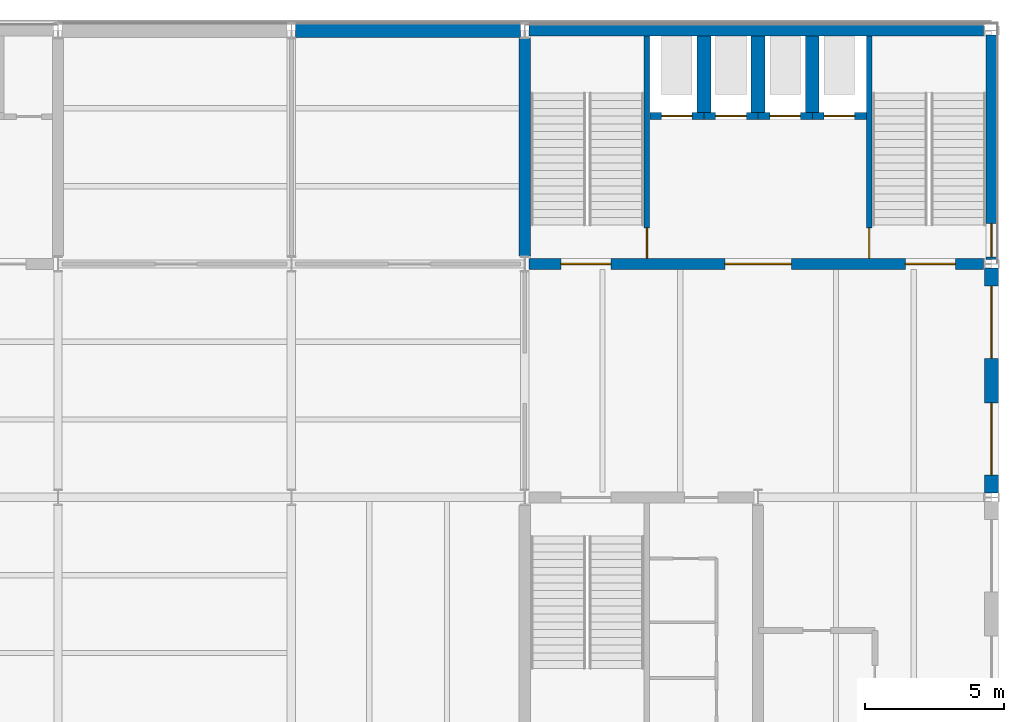
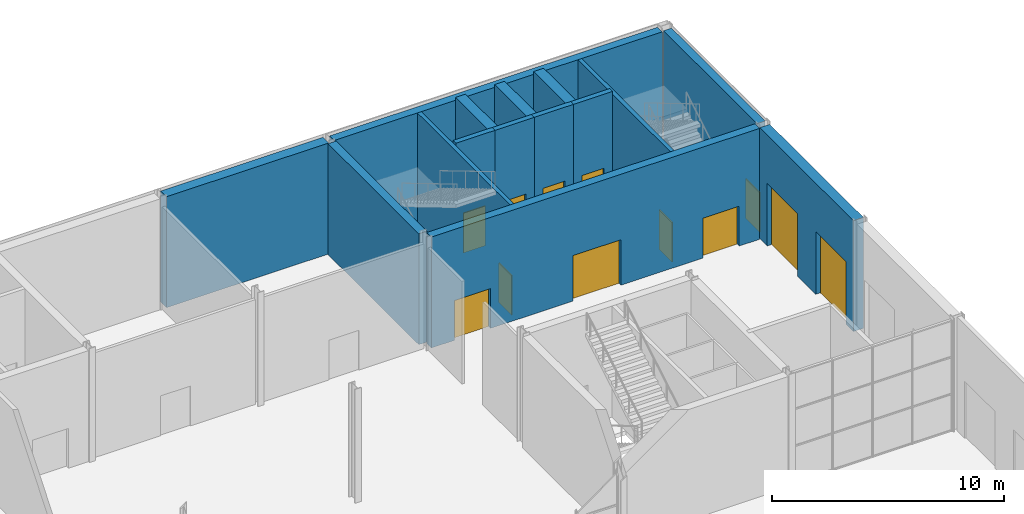
# One storey, part 37 of 55: 15 walls, 12 doors, 12 openings.
"""IFC4 building model written with IfcOpenShell, lengths in metres."""

from ifc_helpers import new_model, si_unit, direction, frame, frame_2d, origin, place, context, subcontext, project, spatial, rectangle, extrude, material, layer, layer_set, type_object, element, fill, save


model = new_model("IFC4")

# Units and contexts
model_context = context("Model", 3, precision=1e-05, world=origin(), true_north=direction((0.0, 1.0)))
body_context = subcontext(model_context, "Body", "Model", "MODEL_VIEW")
ifc_project = project(units=[si_unit("LENGTHUNIT", "METRE"), si_unit("AREAUNIT", "SQUARE_METRE"), si_unit("VOLUMEUNIT", "CUBIC_METRE"), si_unit("PLANEANGLEUNIT", "RADIAN"), si_unit("MASSUNIT", "GRAM", prefix="KILO")], contexts=[model_context])

# Site, building, storey
site_placement = place(None, origin())
site = spatial("IfcSite", under=ifc_project, at=site_placement, CompositionType="ELEMENT")
building_placement = place(site_placement, origin())
building = spatial("IfcBuilding", under=site, at=building_placement, Name="Galleria Vessillo Department Store", CompositionType="ELEMENT")
storey_placement = place(building_placement, origin())
storey = spatial("IfcBuildingStorey", under=building, at=storey_placement, Name="L00", CompositionType="ELEMENT", Elevation=0.0)

# Walls
ifc_material_1 = material(Name="Solid clay block masonry", Category="masonry")
ifc_layer_1 = layer(ifc_material_1, 0.5)
ifc_layer_set_1 = layer_set([ifc_layer_1], Name="Solid clay block masonry")
wall_type_1 = type_object("IfcWallType", Name="Lift shaft partition wall 500 mm", PredefinedType="SOLIDWALL", material=ifc_layer_set_1)
for number, where, z_axis, x_axis, name in (
    (1, (107.25, 62.800048828125, 0.0), (0.0, 0.0, 1.0), (0.0, -1.0, 0.0), "Lift shaft partition wall T1 L00"),
    (2, (109.199951171875, 62.800048828125, 0.0), (0.0, 0.0, 1.0), (0.0, -1.0, 0.0), "Lift shaft partition wall T2 L00"),
    (3, (111.14990234375, 62.800048828125, 0.0), (0.0, 0.0, 1.0), (0.0, -1.0, 0.0), "Lift shaft partition wall T3 L00"),
):
    element("IfcWall", number, at=place(storey_placement, frame(where, z_axis=z_axis, x_axis=x_axis)), inside=storey, type_object=wall_type_1, Name=name, PredefinedType="SOLIDWALL", context=body_context, shape_type="SweptSolid", body=[
        extrude(rectangle(XDim=2.75, YDim=0.5, at=frame_2d((1.375, 0.0))), origin(), (0.0, 0.0, 1.0), 6.0),
    ])

# Wall, opening, door
ifc_material_2 = material(Name="Solid clay block masonry", Category="masonry")
ifc_layer_2 = layer(ifc_material_2, 0.25)
ifc_layer_set_2 = layer_set([ifc_layer_2], Name="Solid clay block masonry")
wall_type_2 = type_object("IfcWallType", Name="Lift shaft wall 250 mm", PredefinedType="SOLIDWALL", material=ifc_layer_set_2)
wall_1_placement = place(storey_placement, frame((105.300048828125, 59.925048828125, 0.0), z_axis=(0.0, 0.0, 1.0), x_axis=(1.0, 0.0, 0.0)))
wall_1 = element("IfcWall", 4, at=wall_1_placement, inside=storey, type_object=wall_type_2, Name="Lift shaft wall T1 landing side L00", PredefinedType="SOLIDWALL", context=body_context, shape_type="SweptSolid", body=[
    extrude(rectangle(XDim=1.949951171875, YDim=0.25, at=frame_2d((0.97509765625, 0.0))), origin(), (0.0, 0.0, 1.0), 6.0),
])
opening_1_placement = place(wall_1_placement, frame((0.4248046875, 0.0, 0.0)))
opening_1 = element("IfcOpeningElement", 5, at=opening_1_placement, cuts=wall_1, Name="Opening LD073", PredefinedType="OPENING", context=body_context, shape_type="SweptSolid", body=[
    extrude(rectangle(XDim=1.10009765625, YDim=2.10009765625, at=frame_2d((0.550048828125, 1.050048828125))), frame((0.0, 0.135009765625, 0.0), z_axis=(0.0, -1.0, 0.0), x_axis=(1.0, 0.0, 0.0)), (0.0, 0.0, 1.0), 0.27001953125),
])
ifc_material_3 = material(Name="Stainless steel lift door panel", Category="steel")
door_type_1 = type_object("IfcDoorType", Name="Lift landing door LD110 sliding 1100 x 2100", OperationType="SLIDING_TO_LEFT", PredefinedType="DOOR", material=ifc_material_3)
door_1_placement = place(opening_1_placement, frame((1.10009765625, 0.0, 0.0), z_axis=(0.0, 0.0, 1.0), x_axis=(-1.0, 0.0, 0.0)))
door_1 = element("IfcDoor", 6, at=door_1_placement, inside=storey, type_object=door_type_1, Name="Lift landing door T1 L00", OperationType="SLIDING_TO_RIGHT", OverallHeight=2.10009765625, OverallWidth=1.10009765625, PredefinedType="DOOR", context=body_context, shape_type="SweptSolid", body=[
    extrude(rectangle(XDim=1.10009765625, YDim=2.10009765625, at=frame_2d((0.550048828125, 1.050048828125))), frame((0.0, 0.02490234375, 0.0), z_axis=(0.0, -1.0, 0.0), x_axis=(1.0, 0.0, 0.0)), (0.0, 0.0, 1.0), 0.050048828125),
])
fill(opening_1, door_1)

wall_2_placement = place(storey_placement, frame((107.25, 59.925048828125, 0.0), z_axis=(0.0, 0.0, 1.0), x_axis=(1.0, 0.0, 0.0)))
wall_2 = element("IfcWall", 7, at=wall_2_placement, inside=storey, type_object=wall_type_2, Name="Lift shaft wall T2 landing side L00", PredefinedType="SOLIDWALL", context=body_context, shape_type="SweptSolid", body=[
    extrude(rectangle(XDim=1.949951171875, YDim=0.25, at=frame_2d((0.97509765625, 0.0))), origin(), (0.0, 0.0, 1.0), 6.0),
])
opening_2_placement = place(wall_2_placement, frame((0.425048828125, 0.0, 0.0)))
opening_2 = element("IfcOpeningElement", 8, at=opening_2_placement, cuts=wall_2, Name="Opening LD074", PredefinedType="OPENING", context=body_context, shape_type="SweptSolid", body=[
    extrude(rectangle(XDim=1.10009765625, YDim=2.10009765625, at=frame_2d((0.550048828125, 1.050048828125))), frame((0.0, 0.135009765625, 0.0), z_axis=(0.0, -1.0, 0.0), x_axis=(1.0, 0.0, 0.0)), (0.0, 0.0, 1.0), 0.27001953125),
])
door_2_placement = place(opening_2_placement, frame((1.10009765625, 0.0, 0.0), z_axis=(0.0, 0.0, 1.0), x_axis=(-1.0, 0.0, 0.0)))
door_2 = element("IfcDoor", 9, at=door_2_placement, inside=storey, type_object=door_type_1, Name="Lift landing door T2 L00", OperationType="SLIDING_TO_RIGHT", OverallHeight=2.10009765625, OverallWidth=1.10009765625, PredefinedType="DOOR", context=body_context, shape_type="SweptSolid", body=[
    extrude(rectangle(XDim=1.10009765625, YDim=2.10009765625, at=frame_2d((0.550048828125, 1.050048828125))), frame((0.0, 0.02490234375, 0.0), z_axis=(0.0, -1.0, 0.0), x_axis=(1.0, 0.0, 0.0)), (0.0, 0.0, 1.0), 0.050048828125),
])
fill(opening_2, door_2)

wall_3_placement = place(storey_placement, frame((109.199951171875, 59.925048828125, 0.0), z_axis=(0.0, 0.0, 1.0), x_axis=(1.0, 0.0, 0.0)))
wall_3 = element("IfcWall", 10, at=wall_3_placement, inside=storey, type_object=wall_type_2, Name="Lift shaft wall T3 landing side L00", PredefinedType="SOLIDWALL", context=body_context, shape_type="SweptSolid", body=[
    extrude(rectangle(XDim=1.949951171875, YDim=0.25, at=frame_2d((0.97509765625, 0.0))), origin(), (0.0, 0.0, 1.0), 6.0),
])
opening_3_placement = place(wall_3_placement, frame((0.425048828125, 0.0, 0.0)))
opening_3 = element("IfcOpeningElement", 11, at=opening_3_placement, cuts=wall_3, Name="Opening LD075", PredefinedType="OPENING", context=body_context, shape_type="SweptSolid", body=[
    extrude(rectangle(XDim=1.10009765625, YDim=2.10009765625, at=frame_2d((0.550048828125, 1.050048828125))), frame((0.0, 0.135009765625, 0.0), z_axis=(0.0, -1.0, 0.0), x_axis=(1.0, 0.0, 0.0)), (0.0, 0.0, 1.0), 0.27001953125),
])
door_3_placement = place(opening_3_placement, frame((1.10009765625, 0.0, 0.0), z_axis=(0.0, 0.0, 1.0), x_axis=(-1.0, 0.0, 0.0)))
door_3 = element("IfcDoor", 12, at=door_3_placement, inside=storey, type_object=door_type_1, Name="Lift landing door T3 L00", OperationType="SLIDING_TO_RIGHT", OverallHeight=2.10009765625, OverallWidth=1.10009765625, PredefinedType="DOOR", context=body_context, shape_type="SweptSolid", body=[
    extrude(rectangle(XDim=1.10009765625, YDim=2.10009765625, at=frame_2d((0.550048828125, 1.050048828125))), frame((0.0, 0.02490234375, 0.0), z_axis=(0.0, -1.0, 0.0), x_axis=(1.0, 0.0, 0.0)), (0.0, 0.0, 1.0), 0.050048828125),
])
fill(opening_3, door_3)

wall_4_placement = place(storey_placement, frame((111.14990234375, 59.925048828125, 0.0), z_axis=(0.0, 0.0, 1.0), x_axis=(1.0, 0.0, 0.0)))
wall_4 = element("IfcWall", 13, at=wall_4_placement, inside=storey, type_object=wall_type_2, Name="Lift shaft wall T4 landing side L00", PredefinedType="SOLIDWALL", context=body_context, shape_type="SweptSolid", body=[
    extrude(rectangle(XDim=1.9501953125, YDim=0.25, at=frame_2d((0.97509765625, 0.0))), origin(), (0.0, 0.0, 1.0), 6.0),
])
opening_4_placement = place(wall_4_placement, frame((0.425048828125, 0.0, 0.0)))
opening_4 = element("IfcOpeningElement", 14, at=opening_4_placement, cuts=wall_4, Name="Opening LD076", PredefinedType="OPENING", context=body_context, shape_type="SweptSolid", body=[
    extrude(rectangle(XDim=1.10009765625, YDim=2.10009765625, at=frame_2d((0.550048828125, 1.050048828125))), frame((0.0, 0.135009765625, 0.0), z_axis=(0.0, -1.0, 0.0), x_axis=(1.0, 0.0, 0.0)), (0.0, 0.0, 1.0), 0.27001953125),
])
door_4_placement = place(opening_4_placement, frame((1.10009765625, 0.0, 0.0), z_axis=(0.0, 0.0, 1.0), x_axis=(-1.0, 0.0, 0.0)))
door_4 = element("IfcDoor", 15, at=door_4_placement, inside=storey, type_object=door_type_1, Name="Lift landing door T4 L00", OperationType="SLIDING_TO_LEFT", OverallHeight=2.10009765625, OverallWidth=1.10009765625, PredefinedType="DOOR", context=body_context, shape_type="SweptSolid", body=[
    extrude(rectangle(XDim=1.10009765625, YDim=2.10009765625, at=frame_2d((0.550048828125, 1.050048828125))), frame((0.0, 0.02490234375, 0.0), z_axis=(0.0, -1.0, 0.0), x_axis=(1.0, 0.0, 0.0)), (0.0, 0.0, 1.0), 0.050048828125),
])
fill(opening_4, door_4)

# Wall, openings, doors
ifc_material_4 = material(Name="Reinforced masonry, limestone units 80 MPa", Category="masonry")
ifc_layer_3 = layer(ifc_material_4, 0.5)
ifc_layer_set_3 = layer_set([ifc_layer_3], Name="Reinforced masonry, limestone units 80 MPa")
wall_type_3 = type_object("IfcWallType", Name="Load-bearing limestone-faced wall 500 mm", PredefinedType="STANDARD", material=ifc_layer_set_3)
wall_5_placement = place(storey_placement, frame((117.60009765625, 46.35302734375, 0.0), z_axis=(0.0, 0.0, 1.0), x_axis=(0.0, 1.0, 0.0)))
wall_5 = element("IfcWall", 16, at=wall_5_placement, inside=storey, type_object=wall_type_3, Name="Load-bearing limestone-faced wall 500 mm SE-N-L00-02", PredefinedType="STANDARD", context=body_context, shape_type="SweptSolid", body=[
    extrude(rectangle(XDim=8.093994140625, YDim=0.5, at=frame_2d((4.046875, 0.0))), origin(), (0.0, 0.0, 1.0), 5.85009765625),
])
opening_5_placement = place(wall_5_placement, frame((0.64697265625, 0.0, 0.0)))
opening_5 = element("IfcOpeningElement", 17, at=opening_5_placement, cuts=wall_5, Name="Opening TE3", PredefinedType="OPENING", context=body_context, shape_type="SweptSolid", body=[
    extrude(rectangle(XDim=2.60009765625, YDim=3.300048828125, at=frame_2d((1.300048828125, 1.64990234375))), frame((0.0, 0.260009765625, 0.0), z_axis=(0.0, -1.0, 0.0), x_axis=(1.0, 0.0, 0.0)), (0.0, 0.0, 1.0), 0.52001953125),
])
opening_6_placement = place(wall_5_placement, frame((4.846923828125, 0.0, 0.0)))
opening_6 = element("IfcOpeningElement", 18, at=opening_6_placement, cuts=wall_5, Name="Opening TE4", PredefinedType="OPENING", context=body_context, shape_type="SweptSolid", body=[
    extrude(rectangle(XDim=2.60009765625, YDim=3.300048828125, at=frame_2d((1.300048828125, 1.64990234375))), frame((0.0, 0.260009765625, 0.0), z_axis=(0.0, -1.0, 0.0), x_axis=(1.0, 0.0, 0.0)), (0.0, 0.0, 1.0), 0.52001953125),
])
ifc_material_5 = material(Name="Aluminium frame with laminated glass 44.2", Category="aluminium")
door_type_2 = type_object("IfcDoorType", Name="Tower entrance door 2600 x 3300", OperationType="DOUBLE_DOOR_SINGLE_SWING", PredefinedType="DOOR", material=ifc_material_5)
door_5_placement = place(opening_5_placement, frame((2.60009765625, 0.0, 0.0), z_axis=(0.0, 0.0, 1.0), x_axis=(-1.0, 0.0, 0.0)))
door_5 = element("IfcDoor", 19, at=door_5_placement, inside=storey, type_object=door_type_2, Name="Tower entrance door 2600 x 3300 TE3", OperationType="DOUBLE_DOOR_SINGLE_SWING", OverallHeight=3.300048828125, OverallWidth=2.60009765625, PredefinedType="DOOR", context=body_context, shape_type="SweptSolid", body=[
    extrude(rectangle(XDim=2.60009765625, YDim=3.300048828125, at=frame_2d((1.300048828125, 1.64990234375))), frame((0.0, 0.02490234375, 0.0), z_axis=(0.0, -1.0, 0.0), x_axis=(1.0, 0.0, 0.0)), (0.0, 0.0, 1.0), 0.050048828125),
])
fill(opening_5, door_5)
door_6_placement = place(opening_6_placement, frame((2.60009765625, 0.0, 0.0), z_axis=(0.0, 0.0, 1.0), x_axis=(-1.0, 0.0, 0.0)))
door_6 = element("IfcDoor", 20, at=door_6_placement, inside=storey, type_object=door_type_2, Name="Tower entrance door 2600 x 3300 TE4", OperationType="DOUBLE_DOOR_SINGLE_SWING", OverallHeight=3.300048828125, OverallWidth=2.60009765625, PredefinedType="DOOR", context=body_context, shape_type="SweptSolid", body=[
    extrude(rectangle(XDim=2.60009765625, YDim=3.300048828125, at=frame_2d((1.300048828125, 1.64990234375))), frame((0.0, 0.02490234375, 0.0), z_axis=(0.0, -1.0, 0.0), x_axis=(1.0, 0.0, 0.0)), (0.0, 0.0, 1.0), 0.050048828125),
])
fill(opening_6, door_6)

ifc_material_6 = material(Name="Concrete C32/40 reinforced", Category="concrete")
ifc_layer_4 = layer(ifc_material_6, 0.39990234375)
ifc_layer_set_4 = layer_set([ifc_layer_4], Name="Concrete C32/40 reinforced")
wall_type_4 = type_object("IfcWallType", Name="Reinforced concrete core wall 400 mm", PredefinedType="SHEAR", material=ifc_layer_set_4)
wall_6_placement = place(storey_placement, frame((100.953125, 54.60009765625, 0.0), z_axis=(0.0, 0.0, 1.0), x_axis=(1.0, 0.0, 0.0)))
wall_6 = element("IfcWall", 21, at=wall_6_placement, inside=storey, type_object=wall_type_4, Name="S-CW-TC-INTERIOR-L00", PredefinedType="SHEAR", context=body_context, shape_type="SweptSolid", body=[
    extrude(rectangle(XDim=16.361083984375, YDim=0.39990234375, at=frame_2d((8.1806640625, 0.0))), origin(), (0.0, 0.0, 1.0), 5.85009765625),
])
opening_7_placement = place(wall_6_placement, frame((13.546875, 0.0, 0.0)))
opening_7 = element("IfcOpeningElement", 22, at=opening_7_placement, cuts=wall_6, Name="Opening D5263", PredefinedType="OPENING", context=body_context, shape_type="SweptSolid", body=[
    extrude(rectangle(XDim=1.800048828125, YDim=2.10009765625, at=frame_2d((0.89990234375, 1.050048828125))), frame((0.0, 0.2099609375, 0.0), z_axis=(0.0, -1.0, 0.0), x_axis=(1.0, 0.0, 0.0)), (0.0, 0.0, 1.0), 0.419921875),
])
opening_8_placement = place(wall_6_placement, frame((7.046875, 0.0, 0.0)))
opening_8 = element("IfcOpeningElement", 23, at=opening_8_placement, cuts=wall_6, Name="Opening D5264", PredefinedType="OPENING", context=body_context, shape_type="SweptSolid", body=[
    extrude(rectangle(XDim=2.39990234375, YDim=2.39990234375, at=frame_2d((1.199951171875, 1.199951171875))), frame((0.0, 0.2099609375, 0.0), z_axis=(0.0, -1.0, 0.0), x_axis=(1.0, 0.0, 0.0)), (0.0, 0.0, 1.0), 0.419921875),
])
opening_9_placement = place(wall_6_placement, frame((1.14697265625, 0.0, 0.0)))
opening_9 = element("IfcOpeningElement", 24, at=opening_9_placement, cuts=wall_6, Name="Opening D5350", PredefinedType="OPENING", context=body_context, shape_type="SweptSolid", body=[
    extrude(rectangle(XDim=1.800048828125, YDim=2.10009765625, at=frame_2d((0.89990234375, 1.050048828125))), frame((0.0, 0.2099609375, 0.0), z_axis=(0.0, -1.0, 0.0), x_axis=(1.0, 0.0, 0.0)), (0.0, 0.0, 1.0), 0.419921875),
])
ifc_material_7 = material(Name="Fire-rated steel door leaf", Category="steel")
door_type_3 = type_object("IfcDoorType", Name="Door D180F double leaf 1800 x 2100", OperationType="DOUBLE_DOOR_SINGLE_SWING", PredefinedType="DOOR", material=ifc_material_7)
door_7_placement = place(opening_7_placement, frame((1.800048828125, 0.0, 0.0), z_axis=(0.0, 0.0, 1.0), x_axis=(-1.0, 0.0, 0.0)))
door_7 = element("IfcDoor", 25, at=door_7_placement, inside=storey, type_object=door_type_3, Name="Lobby door TC-ST9-FLOOR L00", OperationType="DOUBLE_DOOR_SINGLE_SWING", OverallHeight=2.10009765625, OverallWidth=1.800048828125, PredefinedType="DOOR", context=body_context, shape_type="SweptSolid", body=[
    extrude(rectangle(XDim=1.800048828125, YDim=2.10009765625, at=frame_2d((0.89990234375, 1.050048828125))), frame((0.0, 0.02490234375, 0.0), z_axis=(0.0, -1.0, 0.0), x_axis=(1.0, 0.0, 0.0)), (0.0, 0.0, 1.0), 0.050048828125),
])
fill(opening_7, door_7)
door_8_placement = place(opening_9_placement, frame((1.800048828125, 0.0, 0.0), z_axis=(0.0, 0.0, 1.0), x_axis=(-1.0, 0.0, 0.0)))
door_8 = element("IfcDoor", 26, at=door_8_placement, inside=storey, type_object=door_type_3, Name="Stair exit door X-ST8", OperationType="DOUBLE_DOOR_SINGLE_SWING", OverallHeight=2.10009765625, OverallWidth=1.800048828125, PredefinedType="DOOR", context=body_context, shape_type="SweptSolid", body=[
    extrude(rectangle(XDim=1.800048828125, YDim=2.10009765625, at=frame_2d((0.89990234375, 1.050048828125))), frame((0.0, 0.02490234375, 0.0), z_axis=(0.0, -1.0, 0.0), x_axis=(1.0, 0.0, 0.0)), (0.0, 0.0, 1.0), 0.050048828125),
])
fill(opening_9, door_8)
ifc_material_8 = material(Name="Fire-rated steel door leaf", Category="steel")
door_type_4 = type_object("IfcDoorType", Name="Door D240F double leaf 2400 x 2400", OperationType="DOUBLE_DOOR_SINGLE_SWING", PredefinedType="DOOR", material=ifc_material_8)
door_9_placement = place(opening_8_placement, frame((2.39990234375, 0.0, 0.0), z_axis=(0.0, 0.0, 1.0), x_axis=(-1.0, 0.0, 0.0)))
door_9 = element("IfcDoor", 27, at=door_9_placement, inside=storey, type_object=door_type_4, Name="Lobby door TC-LOBBY-FLOOR L00", OperationType="DOUBLE_DOOR_SINGLE_SWING", OverallHeight=2.39990234375, OverallWidth=2.39990234375, PredefinedType="DOOR", context=body_context, shape_type="SweptSolid", body=[
    extrude(rectangle(XDim=2.39990234375, YDim=2.39990234375, at=frame_2d((1.199951171875, 1.199951171875))), frame((0.0, 0.02490234375, 0.0), z_axis=(0.0, -1.0, 0.0), x_axis=(1.0, 0.0, 0.0)), (0.0, 0.0, 1.0), 0.050048828125),
])
fill(opening_8, door_9)

# Walls
wall_7_placement = place(storey_placement, frame((100.800048828125, 54.885986328125, 0.0), z_axis=(0.0, 0.0, 1.0), x_axis=(0.0, 1.0, 0.0)))
element("IfcWall", 28, at=wall_7_placement, inside=storey, type_object=wall_type_4, Name="S-CW-TC-WEST-L00", PredefinedType="SHEAR", context=body_context, shape_type="SweptSolid", body=[
    extrude(rectangle(XDim=7.828125, YDim=0.39990234375, at=frame_2d((3.9140625, 0.0))), origin(), (0.0, 0.0, 1.0), 5.85009765625),
])
ifc_material_9 = material(Name="Concrete C32/40 reinforced", Category="concrete")
ifc_layer_5 = layer(ifc_material_9, 0.39990234375)
ifc_layer_set_5 = layer_set([ifc_layer_5], Name="Concrete C32/40 reinforced")
wall_type_5 = type_object("IfcWallType", Name="Reinforced concrete core wall 400 mm, external", PredefinedType="SHEAR", material=ifc_layer_set_5)
wall_8_placement = place(storey_placement, frame((100.953125, 63.0, 0.0), z_axis=(0.0, 0.0, 1.0), x_axis=(1.0, 0.0, 0.0)))
element("IfcWall", 29, at=wall_8_placement, inside=storey, type_object=wall_type_5, Name="S-CW-TC-PARTY-L00", PredefinedType="SHEAR", context=body_context, shape_type="SweptSolid", body=[
    extrude(rectangle(XDim=16.361083984375, YDim=0.39990234375, at=frame_2d((8.1806640625, 0.0))), origin(), (0.0, 0.0, 1.0), 5.85009765625),
])

# Wall, opening, door
wall_9_placement = place(storey_placement, frame((117.60009765625, 54.753173828125, 0.0), z_axis=(0.0, 0.0, 1.0), x_axis=(0.0, 1.0, 0.0)))
wall_9 = element("IfcWall", 30, at=wall_9_placement, inside=storey, type_object=wall_type_5, Name="S-CW-TC-EAST-L00", PredefinedType="SHEAR", context=body_context, shape_type="SweptSolid", body=[
    extrude(rectangle(XDim=8.09375, YDim=0.39990234375, at=frame_2d((4.046875, 0.0))), origin(), (0.0, 0.0, 1.0), 5.85009765625),
])
opening_10_placement = place(wall_9_placement, frame((0.10009765625, 0.0, 0.0)))
opening_10 = element("IfcOpeningElement", 31, at=opening_10_placement, cuts=wall_9, Name="Opening D5351", PredefinedType="OPENING", context=body_context, shape_type="SweptSolid", body=[
    extrude(rectangle(XDim=1.199951171875, YDim=2.10009765625, at=frame_2d((0.60009765625, 1.050048828125))), frame((0.0, 0.2099609375, 0.0), z_axis=(0.0, -1.0, 0.0), x_axis=(1.0, 0.0, 0.0)), (0.0, 0.0, 1.0), 0.419921875),
])
ifc_material_10 = material(Name="Fire-rated steel door leaf", Category="steel")
door_type_5 = type_object("IfcDoorType", Name="Door D120F fire door 1200 x 2100", OperationType="SINGLE_SWING_LEFT", PredefinedType="DOOR", material=ifc_material_10)
door_10_placement = place(opening_10_placement, frame((1.199951171875, 0.0, 0.0), z_axis=(0.0, 0.0, 1.0), x_axis=(-1.0, 0.0, 0.0)))
door_10 = element("IfcDoor", 32, at=door_10_placement, inside=storey, type_object=door_type_5, Name="Stair exit door X-ST9", OperationType="SINGLE_SWING_RIGHT", OverallHeight=2.10009765625, OverallWidth=1.199951171875, PredefinedType="DOOR", context=body_context, shape_type="SweptSolid", body=[
    extrude(rectangle(XDim=1.199951171875, YDim=2.10009765625, at=frame_2d((0.60009765625, 1.050048828125))), frame((0.0, 0.02490234375, 0.0), z_axis=(0.0, -1.0, 0.0), x_axis=(1.0, 0.0, 0.0)), (0.0, 0.0, 1.0), 0.050048828125),
])
fill(opening_10, door_10)

# Wall
ifc_material_11 = material(Name="Concrete C32/40 reinforced", Category="concrete")
ifc_layer_6 = layer(ifc_material_11, 0.5)
ifc_layer_set_6 = layer_set([ifc_layer_6], Name="Concrete C32/40 reinforced")
wall_type_6 = type_object("IfcWallType", Name="Reinforced concrete party wall 500 mm", PredefinedType="SHEAR", material=ifc_layer_set_6)
wall_10_placement = place(storey_placement, frame((92.552978515625, 63.0, 0.0), z_axis=(0.0, 0.0, 1.0), x_axis=(1.0, 0.0, 0.0)))
element("IfcWall", 33, at=wall_10_placement, inside=storey, type_object=wall_type_6, Name="S-PN-L00-08", PredefinedType="SHEAR", context=body_context, shape_type="SweptSolid", body=[
    extrude(rectangle(XDim=8.093994140625, YDim=0.5, at=frame_2d((4.046875, 0.0))), origin(), (0.0, 0.0, 1.0), 5.85009765625),
])

# Wall, opening, door
ifc_material_12 = material(Name="Concrete C32/40 reinforced", Category="concrete")
ifc_layer_7 = layer(ifc_material_12, 0.199951171875)
ifc_layer_set_7 = layer_set([ifc_layer_7], Name="Concrete C32/40 reinforced")
wall_type_7 = type_object("IfcWallType", Name="Reinforced concrete stair enclosure wall 200 mm", PredefinedType="SHEAR", material=ifc_layer_set_7)
wall_11_placement = place(storey_placement, frame((105.199951171875, 62.800048828125, 0.0), z_axis=(0.0, 0.0, 1.0), x_axis=(0.0, -1.0, 0.0)))
wall_11 = element("IfcWall", 34, at=wall_11_placement, inside=storey, type_object=wall_type_7, Name="Stair enclosure wall TC L00", PredefinedType="SHEAR", context=body_context, shape_type="SweptSolid", body=[
    extrude(rectangle(XDim=8.0, YDim=0.199951171875, at=frame_2d((4.0, 0.0))), origin(), (0.0, 0.0, 1.0), 5.85009765625),
])
opening_11_placement = place(wall_11_placement, frame((6.89990234375, 0.0, 0.0)))
opening_11 = element("IfcOpeningElement", 35, at=opening_11_placement, cuts=wall_11, Name="Opening D5261", PredefinedType="OPENING", context=body_context, shape_type="SweptSolid", body=[
    extrude(rectangle(XDim=1.11009765625, YDim=2.10009765625, at=frame_2d((0.554931640625, 1.050048828125))), frame((0.0, 0.10986328125, 0.0), z_axis=(0.0, -1.0, 0.0), x_axis=(1.0, 0.0, 0.0)), (0.0, 0.0, 1.0), 0.219970703125),
])
ifc_material_13 = material(Name="Fire-rated steel door leaf", Category="steel")
door_type_6 = type_object("IfcDoorType", Name="Door D110F stair door 1100 x 2100", OperationType="SINGLE_SWING_LEFT", PredefinedType="DOOR", material=ifc_material_13)
door_11_placement = place(opening_11_placement, origin())
door_11 = element("IfcDoor", 36, at=door_11_placement, inside=storey, type_object=door_type_6, Name="Stair door TC-ST8-LOBBY L00", OperationType="SINGLE_SWING_RIGHT", OverallHeight=2.10009765625, OverallWidth=1.10009765625, PredefinedType="DOOR", context=body_context, shape_type="SweptSolid", body=[
    extrude(rectangle(XDim=1.10009765625, YDim=2.10009765625, at=frame_2d((0.550048828125, 1.050048828125))), frame((0.0, 0.02490234375, 0.0), z_axis=(0.0, -1.0, 0.0), x_axis=(1.0, 0.0, 0.0)), (0.0, 0.0, 1.0), 0.050048828125),
])
fill(opening_11, door_11)

wall_12_placement = place(storey_placement, frame((113.199951171875, 62.800048828125, 0.0), z_axis=(0.0, 0.0, 1.0), x_axis=(0.0, -1.0, 0.0)))
wall_12 = element("IfcWall", 37, at=wall_12_placement, inside=storey, type_object=wall_type_7, Name="Stair enclosure wall TC L00", PredefinedType="SHEAR", context=body_context, shape_type="SweptSolid", body=[
    extrude(rectangle(XDim=8.0, YDim=0.199951171875, at=frame_2d((4.0, 0.0))), origin(), (0.0, 0.0, 1.0), 5.85009765625),
])
opening_12_placement = place(wall_12_placement, frame((6.89990234375, 0.0, 0.0)))
opening_12 = element("IfcOpeningElement", 38, at=opening_12_placement, cuts=wall_12, Name="Opening D5262", PredefinedType="OPENING", context=body_context, shape_type="SweptSolid", body=[
    extrude(rectangle(XDim=1.11009765625, YDim=2.10009765625, at=frame_2d((0.554931640625, 1.050048828125))), frame((0.0, 0.10986328125, 0.0), z_axis=(0.0, -1.0, 0.0), x_axis=(1.0, 0.0, 0.0)), (0.0, 0.0, 1.0), 0.219970703125),
])
door_12_placement = place(opening_12_placement, frame((1.10009765625, 0.0, 0.0), z_axis=(0.0, 0.0, 1.0), x_axis=(-1.0, 0.0, 0.0)))
door_12 = element("IfcDoor", 39, at=door_12_placement, inside=storey, type_object=door_type_6, Name="Stair door TC-ST9-LOBBY L00", OperationType="SINGLE_SWING_LEFT", OverallHeight=2.10009765625, OverallWidth=1.10009765625, PredefinedType="DOOR", context=body_context, shape_type="SweptSolid", body=[
    extrude(rectangle(XDim=1.10009765625, YDim=2.10009765625, at=frame_2d((0.550048828125, 1.050048828125))), frame((0.0, 0.02490234375, 0.0), z_axis=(0.0, -1.0, 0.0), x_axis=(1.0, 0.0, 0.0)), (0.0, 0.0, 1.0), 0.050048828125),
])
fill(opening_12, door_12)

save(model, "model.ifc")
